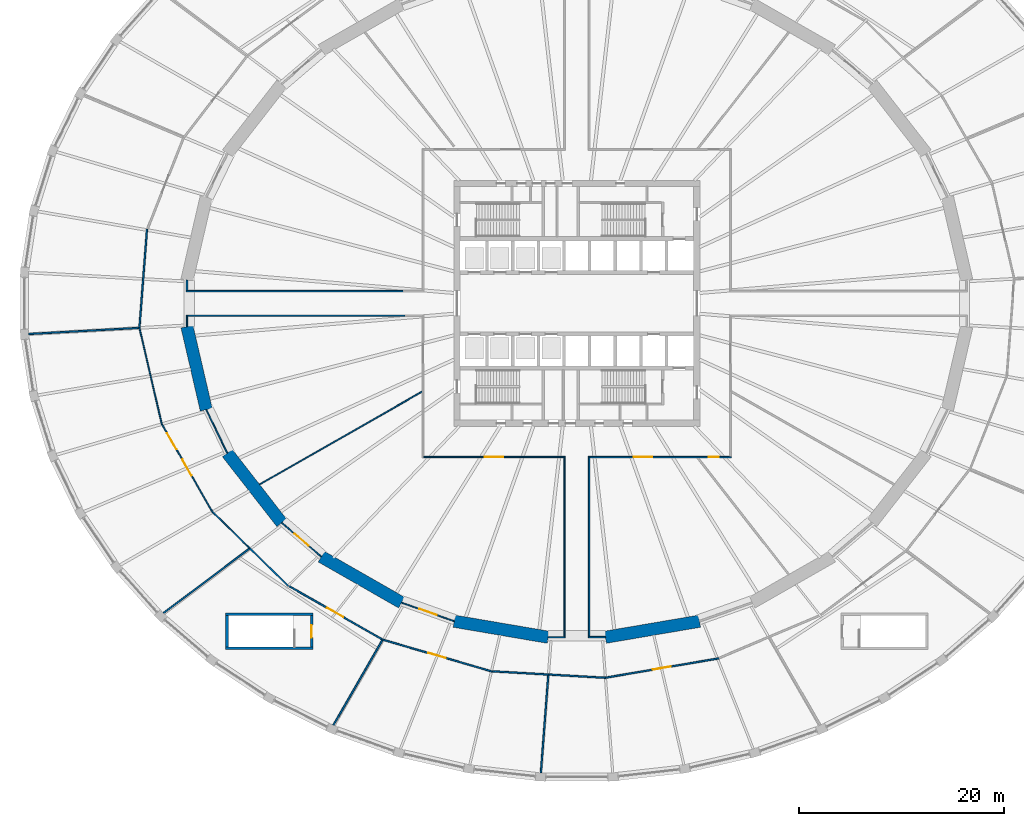
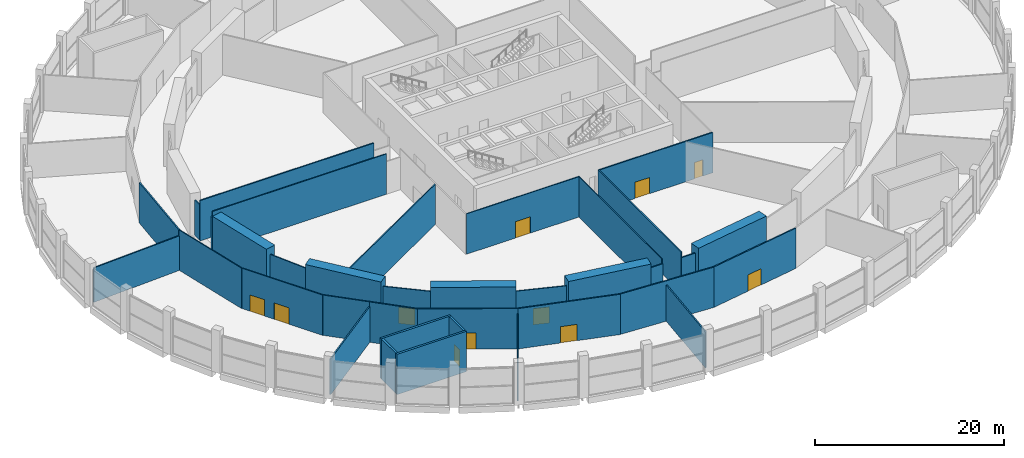
# One storey, part 19 of 26: 36 walls, 11 doors, 11 openings.
"""IFC4 building model written with IfcOpenShell, lengths in metres."""

from ifc_helpers import new_model, si_unit, direction, frame, frame_2d, origin, place, context, subcontext, project, spatial, polyline, rectangle, outline, extrude, material, layer, layer_set, type_object, element, fill, save


model = new_model("IFC4")

# Units and contexts
model_context = context("Model", 3, precision=1e-05, world=origin(), true_north=direction((0.0, 1.0)))
body_context = subcontext(model_context, "Body", "Model", "MODEL_VIEW")
ifc_project = project(units=[si_unit("LENGTHUNIT", "METRE"), si_unit("AREAUNIT", "SQUARE_METRE"), si_unit("VOLUMEUNIT", "CUBIC_METRE"), si_unit("PLANEANGLEUNIT", "RADIAN"), si_unit("MASSUNIT", "GRAM", prefix="KILO")], contexts=[model_context])

# Site, building, storey
site_placement = place(None, origin())
site = spatial("IfcSite", under=ifc_project, at=site_placement, CompositionType="ELEMENT")
building_placement = place(site_placement, origin())
building = spatial("IfcBuilding", under=site, at=building_placement, Name="Halqa Exchange Tower", CompositionType="ELEMENT")
storey_placement = place(building_placement, frame((0.0, 0.0, 18.0)))
storey = spatial("IfcBuildingStorey", under=building, at=storey_placement, Name="L03", CompositionType="ELEMENT", Elevation=18.0)

# Walls
ifc_material_1 = material(Name="Fire-rated gypsum board")
ifc_layer_1 = layer(ifc_material_1, 0.14990234375)
ifc_layer_set_1 = layer_set([ifc_layer_1], Name="Fire-rated gypsum board")
wall_type_1 = type_object("IfcWallType", Name="Fire partition EI 60 150", PredefinedType="PARTITIONING", material=ifc_layer_set_1)
wall_1_placement = place(storey_placement, frame((-42.696533203125, -2.3916015625, 0.0), z_axis=(0.0, 0.0, 1.0), x_axis=(-0.998455831687, -0.055551347153, 0.0)))
element("IfcWall", 1, at=wall_1_placement, inside=storey, type_object=wall_type_1, Name="L03-PWL-001", PredefinedType="PARTITIONING", context=body_context, shape_type="SweptSolid", body=[
    extrude(outline(polyline([(0.0, -0.074951171875), (10.808349609375, -0.074951171875), (10.805419921875, 0.074951171875), (0.0, 0.074951171875), (0.0, -0.074951171875)])), origin(), (0.0, 0.0, 1.0), 4.447021484375),
])
wall_2_placement = place(storey_placement, frame((-42.67041015625, -2.39404296875, 0.0), z_axis=(0.0, 0.0, 1.0), x_axis=(0.076458757176, 0.997072744814, 0.0)))
element("IfcWall", 2, at=wall_2_placement, inside=storey, type_object=wall_type_1, Name="L03-PWL-002", PredefinedType="PARTITIONING", context=body_context, shape_type="SweptSolid", body=[
    extrude(rectangle(XDim=9.6591796875, YDim=0.14990234375, at=frame_2d((4.82958984375, 0.0))), origin(), (0.0, 0.0, 1.0), 5.199951171875),
])
wall_3_placement = place(storey_placement, frame((-40.33740234375, -30.2255859375, 0.0), z_axis=(0.0, 0.0, 1.0), x_axis=(0.800114543622, 0.599847244792, 0.0)))
element("IfcWall", 3, at=wall_3_placement, inside=storey, type_object=wall_type_1, Name="L03-PWL-006", PredefinedType="PARTITIONING", context=body_context, shape_type="SweptSolid", body=[
    extrude(outline(polyline([(0.011474609375, -0.074951171875), (10.4853515625, -0.074951171875), (10.4853515625, 0.074951171875), (-0.011474609375, 0.074951171875), (0.011474609375, -0.074951171875)])), origin(), (0.0, 0.0, 1.0), 4.60009765625),
])
wall_4_placement = place(storey_placement, frame((-38.10498046875, 1.199951171875, 0.0), z_axis=(0.0, 0.0, 1.0), x_axis=(1.0, 0.0, 0.0)))
element("IfcWall", 4, at=wall_4_placement, inside=storey, type_object=wall_type_1, Name="L03-PWL-010", PredefinedType="PARTITIONING", context=body_context, shape_type="SweptSolid", body=[
    extrude(rectangle(XDim=21.18701171875, YDim=0.14990234375, at=frame_2d((10.593505859375, 0.0))), origin(), (0.0, 0.0, 1.0), 5.199951171875),
])
wall_5_placement = place(storey_placement, frame((-38.030029296875, 2.267578125, 0.0), z_axis=(0.0, 0.0, 1.0), x_axis=(0.0, -1.0, 0.0)))
element("IfcWall", 5, at=wall_5_placement, inside=storey, type_object=wall_type_1, Name="L03-PWL-011", PredefinedType="PARTITIONING", context=body_context, shape_type="SweptSolid", body=[
    extrude(outline(polyline([(-0.017333984375, -0.074951171875), (0.99267578125, -0.074951171875), (0.99267578125, 0.074951171875), (0.017333984375, 0.074951171875), (-0.017333984375, -0.074951171875)])), origin(), (0.0, 0.0, 1.0), 4.60009765625),
])
wall_6_placement = place(storey_placement, frame((-31.89990234375, -23.89990234375, 0.0), z_axis=(0.0, 0.0, 1.0), x_axis=(0.714809256367, -0.699319474212, 0.0)))
element("IfcWall", 6, at=wall_6_placement, inside=storey, type_object=wall_type_1, Name="L03-PWL-017", PredefinedType="PARTITIONING", context=body_context, shape_type="SweptSolid", body=[
    extrude(rectangle(XDim=5.24853515625, YDim=0.14990234375, at=frame_2d((2.624267578125, 0.0))), origin(), (0.0, 0.0, 1.0), 5.199951171875),
])

# Wall, opening, door
wall_7_placement = place(storey_placement, frame((-18.922119140625, -32.8203125, 0.0), z_axis=(0.0, 0.0, 1.0), x_axis=(-0.867956944139, 0.496639449823, 0.0)))
wall_7 = element("IfcWall", 7, at=wall_7_placement, inside=storey, type_object=wall_type_1, Name="L03-PWL-023", PredefinedType="PARTITIONING", context=body_context, shape_type="SweptSolid", body=[
    extrude(rectangle(XDim=10.609375, YDim=0.14990234375, at=frame_2d((5.3046875, 0.0))), origin(), (0.0, 0.0, 1.0), 5.199951171875),
])
opening_1_placement = place(wall_7_placement, frame((4.46630859375, 0.0, 0.0)))
opening_1 = element("IfcOpeningElement", 8, at=opening_1_placement, cuts=wall_7, Name="Opening L03-18", PredefinedType="OPENING", context=body_context, shape_type="SweptSolid", body=[
    extrude(rectangle(XDim=1.800048828125, YDim=2.10009765625, at=frame_2d((0.89990234375, 1.050048828125))), frame((0.0, 0.0869140625, 0.0), z_axis=(0.0, -1.0, 0.0), x_axis=(1.0, 0.0, 0.0)), (0.0, 0.0, 1.0), 0.173828125),
])
ifc_material_2 = material(Name="Steel fire door leaf", Category="steel")
door_type_1 = type_object("IfcDoorType", Name="Fire door FD30S double 1800 x 2100", OperationType="DOUBLE_DOOR_SINGLE_SWING", PredefinedType="DOOR", material=ifc_material_2)
door_1_placement = place(opening_1_placement, origin())
door_1 = element("IfcDoor", 9, at=door_1_placement, inside=storey, type_object=door_type_1, Name="L03-IDR-018", OperationType="DOUBLE_DOOR_SINGLE_SWING", OverallHeight=2.10009765625, OverallWidth=1.800048828125, PredefinedType="DOOR", context=body_context, shape_type="SweptSolid", body=[
    extrude(rectangle(XDim=1.800048828125, YDim=2.10009765625, at=frame_2d((0.89990234375, 1.050048828125))), frame((0.0, 0.02490234375, 0.0), z_axis=(0.0, -1.0, 0.0), x_axis=(1.0, 0.0, 0.0)), (0.0, 0.0, 1.0), 0.050048828125),
])
fill(opening_1, door_1)

# Wall
wall_8_placement = place(storey_placement, frame((-18.977294921875, -32.875, 0.0), z_axis=(0.0, 0.0, 1.0), x_axis=(-0.499235523932, -0.866466324588, 0.0)))
element("IfcWall", 10, at=wall_8_placement, inside=storey, type_object=wall_type_1, Name="L03-PWL-024", PredefinedType="PARTITIONING", context=body_context, shape_type="SweptSolid", body=[
    extrude(outline(polyline([(0.0, -0.074951171875), (9.56005859375, -0.074951171875), (9.54150390625, 0.074951171875), (0.0, 0.074951171875), (0.0, -0.074951171875)])), origin(), (0.0, 0.0, 1.0), 4.60009765625),
])

# Wall, opening, door
wall_9_placement = place(storey_placement, frame((-8.25634765625, -35.917236328125, 0.0), z_axis=(0.0, 0.0, 1.0), x_axis=(-0.960212446938, 0.279270579805, 0.0)))
wall_9 = element("IfcWall", 11, at=wall_9_placement, inside=storey, type_object=wall_type_1, Name="L03-PWL-035", PredefinedType="PARTITIONING", context=body_context, shape_type="SweptSolid", body=[
    extrude(rectangle(XDim=11.10595703125, YDim=0.14990234375, at=frame_2d((5.552978515625, 0.0))), origin(), (0.0, 0.0, 1.0), 5.199951171875),
])
opening_2_placement = place(wall_9_placement, frame((4.7119140625, 0.0, 0.0)))
opening_2 = element("IfcOpeningElement", 12, at=opening_2_placement, cuts=wall_9, Name="Opening L03-28", PredefinedType="OPENING", context=body_context, shape_type="SweptSolid", body=[
    extrude(rectangle(XDim=1.800048828125, YDim=2.10009765625, at=frame_2d((0.89990234375, 1.050048828125))), frame((0.0, 0.0869140625, 0.0), z_axis=(0.0, -1.0, 0.0), x_axis=(1.0, 0.0, 0.0)), (0.0, 0.0, 1.0), 0.173828125),
])
door_2_placement = place(opening_2_placement, origin())
door_2 = element("IfcDoor", 13, at=door_2_placement, inside=storey, type_object=door_type_1, Name="L03-IDR-028", OperationType="DOUBLE_DOOR_SINGLE_SWING", OverallHeight=2.10009765625, OverallWidth=1.800048828125, PredefinedType="DOOR", context=body_context, shape_type="SweptSolid", body=[
    extrude(rectangle(XDim=1.800048828125, YDim=2.10009765625, at=frame_2d((0.89990234375, 1.050048828125))), frame((0.0, 0.02490234375, 0.0), z_axis=(0.0, -1.0, 0.0), x_axis=(1.0, 0.0, 0.0)), (0.0, 0.0, 1.0), 0.050048828125),
])
fill(opening_2, door_2)

# Walls
wall_10_placement = place(storey_placement, frame((-8.250732421875, -35.895751953125, 0.0), z_axis=(0.0, 0.0, 1.0), x_axis=(0.998353419448, -0.057362443082, 0.0)))
element("IfcWall", 14, at=wall_10_placement, inside=storey, type_object=wall_type_1, Name="L03-PWL-036", PredefinedType="PARTITIONING", context=body_context, shape_type="SweptSolid", body=[
    extrude(rectangle(XDim=11.074462890625, YDim=0.14990234375, at=frame_2d((5.537109375, 0.0))), origin(), (0.0, 0.0, 1.0), 5.199951171875),
])
wall_11_placement = place(storey_placement, frame((-2.78564453125, -36.2841796875, 0.0), z_axis=(0.0, 0.0, 1.0), x_axis=(-0.075755724104, -0.997126406363, 0.0)))
element("IfcWall", 15, at=wall_11_placement, inside=storey, type_object=wall_type_1, Name="L03-PWL-040", PredefinedType="PARTITIONING", context=body_context, shape_type="SweptSolid", body=[
    extrude(rectangle(XDim=9.545654296875, YDim=0.14990234375, at=frame_2d((4.77294921875, 0.0))), origin(), (0.0, 0.0, 1.0), 4.64990234375),
])
wall_12_placement = place(storey_placement, frame((1.125, -32.570068359375, 0.0), z_axis=(0.0, 0.0, 1.0), x_axis=(1.0, 0.0, 0.0)))
element("IfcWall", 16, at=wall_12_placement, inside=storey, type_object=wall_type_1, Name="L03-PWL-045", PredefinedType="PARTITIONING", context=body_context, shape_type="SweptSolid", body=[
    extrude(outline(polyline([(0.0, -0.074951171875), (1.67578125, -0.074951171875), (1.650390625, 0.074951171875), (0.0, 0.074951171875), (0.0, -0.074951171875)])), origin(), (0.0, 0.0, 1.0), 4.60009765625),
])
wall_13_placement = place(storey_placement, frame((1.199951171875, -14.925048828125, 0.0), z_axis=(0.0, 0.0, 1.0), x_axis=(0.0, -1.0, 0.0)))
element("IfcWall", 17, at=wall_13_placement, inside=storey, type_object=wall_type_1, Name="L03-PWL-046", PredefinedType="PARTITIONING", context=body_context, shape_type="SweptSolid", body=[
    extrude(rectangle(XDim=17.570068359375, YDim=0.14990234375, at=frame_2d((8.78515625, 0.0))), origin(), (0.0, 0.0, 1.0), 5.199951171875),
])

# Wall, openings, doors
wall_14_placement = place(storey_placement, frame((1.27490234375, -15.0, 0.0), z_axis=(0.0, 0.0, 1.0), x_axis=(1.0, 0.0, 0.0)))
wall_14 = element("IfcWall", 18, at=wall_14_placement, inside=storey, type_object=wall_type_1, Name="L03-PWL-047", PredefinedType="PARTITIONING", context=body_context, shape_type="SweptSolid", body=[
    extrude(rectangle(XDim=13.800048828125, YDim=0.14990234375, at=frame_2d((6.89990234375, 0.0))), origin(), (0.0, 0.0, 1.0), 5.199951171875),
])
opening_3_placement = place(wall_14_placement, frame((4.2939453125, 0.0, 0.0)))
opening_3 = element("IfcOpeningElement", 19, at=opening_3_placement, cuts=wall_14, Name="Opening L03-13", PredefinedType="OPENING", context=body_context, shape_type="SweptSolid", body=[
    extrude(rectangle(XDim=1.800048828125, YDim=2.10009765625, at=frame_2d((0.89990234375, 1.050048828125))), frame((0.0, 0.0869140625, 0.0), z_axis=(0.0, -1.0, 0.0), x_axis=(1.0, 0.0, 0.0)), (0.0, 0.0, 1.0), 0.173828125),
])
opening_4_placement = place(wall_14_placement, frame((11.574951171875, 0.0, 0.0)))
opening_4 = element("IfcOpeningElement", 20, at=opening_4_placement, cuts=wall_14, Name="Opening L03-14", PredefinedType="OPENING", context=body_context, shape_type="SweptSolid", body=[
    extrude(rectangle(XDim=1.0, YDim=2.10009765625, at=frame_2d((0.5, 1.050048828125))), frame((0.0, 0.0869140625, 0.0), z_axis=(0.0, -1.0, 0.0), x_axis=(1.0, 0.0, 0.0)), (0.0, 0.0, 1.0), 0.173828125),
])
door_type_2 = type_object("IfcDoorType", Name="Fire door FD30S 1000 x 2100", OperationType="SINGLE_SWING_LEFT", PredefinedType="DOOR", material=ifc_material_2)
door_3_placement = place(opening_4_placement, frame((1.0, 0.0, 0.0), z_axis=(0.0, 0.0, 1.0), x_axis=(-1.0, 0.0, 0.0)))
door_3 = element("IfcDoor", 21, at=door_3_placement, inside=storey, type_object=door_type_2, Name="L03-IDR-014", OperationType="SINGLE_SWING_LEFT", OverallHeight=2.10009765625, OverallWidth=1.0, PredefinedType="DOOR", context=body_context, shape_type="SweptSolid", body=[
    extrude(rectangle(XDim=1.0, YDim=2.10009765625, at=frame_2d((0.5, 1.050048828125))), frame((0.0, 0.02490234375, 0.0), z_axis=(0.0, -1.0, 0.0), x_axis=(1.0, 0.0, 0.0)), (0.0, 0.0, 1.0), 0.050048828125),
])
fill(opening_4, door_3)
door_4_placement = place(opening_3_placement, frame((1.800048828125, 0.0, 0.0), z_axis=(0.0, 0.0, 1.0), x_axis=(-1.0, 0.0, 0.0)))
door_4 = element("IfcDoor", 22, at=door_4_placement, inside=storey, type_object=door_type_1, Name="L03-IDR-013", OperationType="DOUBLE_DOOR_SINGLE_SWING", OverallHeight=2.10009765625, OverallWidth=1.800048828125, PredefinedType="DOOR", context=body_context, shape_type="SweptSolid", body=[
    extrude(rectangle(XDim=1.800048828125, YDim=2.10009765625, at=frame_2d((0.89990234375, 1.050048828125))), frame((0.0, 0.02490234375, 0.0), z_axis=(0.0, -1.0, 0.0), x_axis=(1.0, 0.0, 0.0)), (0.0, 0.0, 1.0), 0.050048828125),
])
fill(opening_3, door_4)

# Wall, opening, door
wall_15_placement = place(storey_placement, frame((13.857177734375, -34.63330078125, 0.0), z_axis=(0.0, 0.0, 1.0), x_axis=(-0.985753337794, -0.168197375212, 0.0)))
wall_15 = element("IfcWall", 23, at=wall_15_placement, inside=storey, type_object=wall_type_1, Name="L03-PWL-055", PredefinedType="PARTITIONING", context=body_context, shape_type="SweptSolid", body=[
    extrude(rectangle(XDim=11.21142578125, YDim=0.14990234375, at=frame_2d((5.605712890625, 0.0))), origin(), (0.0, 0.0, 1.0), 5.199951171875),
])
opening_5_placement = place(wall_15_placement, frame((4.7578125, 0.0, 0.0)))
opening_5 = element("IfcOpeningElement", 24, at=opening_5_placement, cuts=wall_15, Name="Opening L03-29", PredefinedType="OPENING", context=body_context, shape_type="SweptSolid", body=[
    extrude(rectangle(XDim=1.800048828125, YDim=2.10009765625, at=frame_2d((0.89990234375, 1.050048828125))), frame((0.0, 0.0869140625, 0.0), z_axis=(0.0, -1.0, 0.0), x_axis=(1.0, 0.0, 0.0)), (0.0, 0.0, 1.0), 0.173828125),
])
door_5_placement = place(opening_5_placement, origin())
door_5 = element("IfcDoor", 25, at=door_5_placement, inside=storey, type_object=door_type_1, Name="L03-IDR-029", OperationType="DOUBLE_DOOR_SINGLE_SWING", OverallHeight=2.10009765625, OverallWidth=1.800048828125, PredefinedType="DOOR", context=body_context, shape_type="SweptSolid", body=[
    extrude(rectangle(XDim=1.800048828125, YDim=2.10009765625, at=frame_2d((0.89990234375, 1.050048828125))), frame((0.0, 0.02490234375, 0.0), z_axis=(0.0, -1.0, 0.0), x_axis=(1.0, 0.0, 0.0)), (0.0, 0.0, 1.0), 0.050048828125),
])
fill(opening_5, door_5)

# Walls
ifc_material_3 = material(Name="Fire-rated glazing", Category="glass")
ifc_layer_2 = layer(ifc_material_3, 0.1201171875)
ifc_layer_set_2 = layer_set([ifc_layer_2], Name="Fire-rated glazing")
wall_type_2 = type_object("IfcWallType", Name="Glazed fire partition EI 60 120", PredefinedType="PARTITIONING", material=ifc_layer_set_2)
wall_16_placement = place(storey_placement, frame((-40.481201171875, -11.8212890625, 0.0), z_axis=(0.0, 0.0, 1.0), x_axis=(-0.226066022298, 0.974111982044, 0.0)))
element("IfcWall", 26, at=wall_16_placement, inside=storey, type_object=wall_type_2, Name="L03-PWL-004", PredefinedType="PARTITIONING", context=body_context, shape_type="SweptSolid", body=[
    extrude(rectangle(XDim=9.678466796875, YDim=0.1201171875, at=frame_2d((4.83935546875, 0.0))), origin(), (0.0, 0.0, 1.0), 5.199951171875),
])
wall_17_placement = place(storey_placement, frame((-38.030029296875, -1.139892578125, 0.0), z_axis=(0.0, 0.0, 1.0), x_axis=(0.0, -1.0, 0.0)))
element("IfcWall", 27, at=wall_17_placement, inside=storey, type_object=wall_type_2, Name="L03-PWL-009", PredefinedType="PARTITIONING", context=body_context, shape_type="SweptSolid", body=[
    extrude(outline(polyline([(0.0, -0.06005859375), (1.1416015625, -0.06005859375), (1.11376953125, 0.06005859375), (0.0, 0.06005859375), (0.0, -0.06005859375)])), origin(), (0.0, 0.0, 1.0), 4.60009765625),
])
wall_18_placement = place(storey_placement, frame((-36.14990234375, -10.3798828125, 0.0), z_axis=(0.0, 0.0, 1.0), x_axis=(0.436102687495, -0.899896908518, 0.0)))
element("IfcWall", 28, at=wall_18_placement, inside=storey, type_object=wall_type_2, Name="L03-PWL-012", PredefinedType="PARTITIONING", context=body_context, shape_type="SweptSolid", body=[
    extrude(outline(polyline([(-0.013671875, -0.06005859375), (4.712158203125, -0.06005859375), (4.686279296875, 0.06005859375), (0.013671875, 0.06005859375), (-0.013671875, -0.06005859375)])), origin(), (0.0, 0.0, 1.0), 4.60009765625),
])

# Wall, openings, doors
wall_19_placement = place(storey_placement, frame((-35.529052734375, -20.381103515625, 0.0), z_axis=(0.0, 0.0, 1.0), x_axis=(-0.498637746392, 0.866810474021, 0.0)))
wall_19 = element("IfcWall", 29, at=wall_19_placement, inside=storey, type_object=wall_type_2, Name="L03-PWL-013", PredefinedType="PARTITIONING", context=body_context, shape_type="SweptSolid", body=[
    extrude(rectangle(XDim=9.88232421875, YDim=0.1201171875, at=frame_2d((4.941162109375, 0.0))), origin(), (0.0, 0.0, 1.0), 5.199951171875),
])
opening_6_placement = place(wall_19_placement, frame((4.12548828125, 0.0, 0.0)))
opening_6 = element("IfcOpeningElement", 30, at=opening_6_placement, cuts=wall_19, Name="Opening L03-26", PredefinedType="OPENING", context=body_context, shape_type="SweptSolid", body=[
    extrude(rectangle(XDim=1.800048828125, YDim=2.10009765625, at=frame_2d((0.89990234375, 1.050048828125))), frame((0.0, 0.072021484375, 0.0), z_axis=(0.0, -1.0, 0.0), x_axis=(1.0, 0.0, 0.0)), (0.0, 0.0, 1.0), 0.14404296875),
])
opening_7_placement = place(wall_19_placement, frame((7.091552734375, 0.0, 0.0)))
opening_7 = element("IfcOpeningElement", 31, at=opening_7_placement, cuts=wall_19, Name="Opening L03-27", PredefinedType="OPENING", context=body_context, shape_type="SweptSolid", body=[
    extrude(rectangle(XDim=1.800048828125, YDim=2.10009765625, at=frame_2d((0.89990234375, 1.050048828125))), frame((0.0, 0.072021484375, 0.0), z_axis=(0.0, -1.0, 0.0), x_axis=(1.0, 0.0, 0.0)), (0.0, 0.0, 1.0), 0.14404296875),
])
door_6_placement = place(opening_6_placement, origin())
door_6 = element("IfcDoor", 32, at=door_6_placement, inside=storey, type_object=door_type_1, Name="L03-IDR-026", OperationType="DOUBLE_DOOR_SINGLE_SWING", OverallHeight=2.10009765625, OverallWidth=1.800048828125, PredefinedType="DOOR", context=body_context, shape_type="SweptSolid", body=[
    extrude(rectangle(XDim=1.800048828125, YDim=2.10009765625, at=frame_2d((0.89990234375, 1.050048828125))), frame((0.0, 0.02490234375, 0.0), z_axis=(0.0, -1.0, 0.0), x_axis=(1.0, 0.0, 0.0)), (0.0, 0.0, 1.0), 0.050048828125),
])
fill(opening_6, door_6)
door_7_placement = place(opening_7_placement, origin())
door_7 = element("IfcDoor", 33, at=door_7_placement, inside=storey, type_object=door_type_1, Name="L03-IDR-027", OperationType="DOUBLE_DOOR_SINGLE_SWING", OverallHeight=2.10009765625, OverallWidth=1.800048828125, PredefinedType="DOOR", context=body_context, shape_type="SweptSolid", body=[
    extrude(rectangle(XDim=1.800048828125, YDim=2.10009765625, at=frame_2d((0.89990234375, 1.050048828125))), frame((0.0, 0.02490234375, 0.0), z_axis=(0.0, -1.0, 0.0), x_axis=(1.0, 0.0, 0.0)), (0.0, 0.0, 1.0), 0.050048828125),
])
fill(opening_7, door_7)

# Wall
wall_20_placement = place(storey_placement, frame((-35.509521484375, -20.369140625, 0.0), z_axis=(0.0, 0.0, 1.0), x_axis=(0.714847158957, -0.699280729987, 0.0)))
element("IfcWall", 34, at=wall_20_placement, inside=storey, type_object=wall_type_2, Name="L03-PWL-014", PredefinedType="PARTITIONING", context=body_context, shape_type="SweptSolid", body=[
    extrude(rectangle(XDim=5.05029296875, YDim=0.1201171875, at=frame_2d((2.525146484375, 0.0))), origin(), (0.0, 0.0, 1.0), 5.199951171875),
])

# Wall, opening, door
wall_21_placement = place(storey_placement, frame((-28.789306640625, -21.41064453125, 0.0), z_axis=(0.0, 0.0, 1.0), x_axis=(0.760084552743, -0.649824185978, 0.0)))
wall_21 = element("IfcWall", 35, at=wall_21_placement, inside=storey, type_object=wall_type_2, Name="L03-PWL-018", PredefinedType="PARTITIONING", context=body_context, shape_type="SweptSolid", body=[
    extrude(outline(polyline([(-0.01220703125, -0.06005859375), (5.08642578125, -0.06005859375), (5.0634765625, 0.06005859375), (0.01220703125, 0.06005859375), (-0.01220703125, -0.06005859375)])), origin(), (0.0, 0.0, 1.0), 4.60009765625),
])
opening_8_placement = place(wall_21_placement, frame((1.63818359375, 0.0, 0.0)))
opening_8 = element("IfcOpeningElement", 36, at=opening_8_placement, cuts=wall_21, Name="Opening L03-11", PredefinedType="OPENING", context=body_context, shape_type="SweptSolid", body=[
    extrude(rectangle(XDim=1.800048828125, YDim=2.10009765625, at=frame_2d((0.89990234375, 1.050048828125))), frame((0.0, 0.072021484375, 0.0), z_axis=(0.0, -1.0, 0.0), x_axis=(1.0, 0.0, 0.0)), (0.0, 0.0, 1.0), 0.14404296875),
])
door_8_placement = place(opening_8_placement, origin())
door_8 = element("IfcDoor", 37, at=door_8_placement, inside=storey, type_object=door_type_1, Name="L03-IDR-011", OperationType="DOUBLE_DOOR_SINGLE_SWING", OverallHeight=2.10009765625, OverallWidth=1.800048828125, PredefinedType="DOOR", context=body_context, shape_type="SweptSolid", body=[
    extrude(rectangle(XDim=1.800048828125, YDim=2.10009765625, at=frame_2d((0.89990234375, 1.050048828125))), frame((0.0, 0.02490234375, 0.0), z_axis=(0.0, -1.0, 0.0), x_axis=(1.0, 0.0, 0.0)), (0.0, 0.0, 1.0), 0.050048828125),
])
fill(opening_8, door_8)

wall_22_placement = place(storey_placement, frame((-17.0908203125, -29.19970703125, 0.0), z_axis=(0.0, 0.0, 1.0), x_axis=(0.942814385805, -0.333318217204, 0.0)))
wall_22 = element("IfcWall", 38, at=wall_22_placement, inside=storey, type_object=wall_type_2, Name="L03-PWL-026", PredefinedType="PARTITIONING", context=body_context, shape_type="SweptSolid", body=[
    extrude(outline(polyline([(-0.010986328125, -0.06005859375), (5.445068359375, -0.06005859375), (5.424560546875, 0.06005859375), (0.010986328125, 0.06005859375), (-0.010986328125, -0.06005859375)])), origin(), (0.0, 0.0, 1.0), 4.60009765625),
])
opening_9_placement = place(wall_22_placement, frame((1.81640625, 0.0, 0.0)))
opening_9 = element("IfcOpeningElement", 39, at=opening_9_placement, cuts=wall_22, Name="Opening L03-12", PredefinedType="OPENING", context=body_context, shape_type="SweptSolid", body=[
    extrude(rectangle(XDim=1.800048828125, YDim=2.10009765625, at=frame_2d((0.89990234375, 1.050048828125))), frame((0.0, 0.072021484375, 0.0), z_axis=(0.0, -1.0, 0.0), x_axis=(1.0, 0.0, 0.0)), (0.0, 0.0, 1.0), 0.14404296875),
])
door_9_placement = place(opening_9_placement, origin())
door_9 = element("IfcDoor", 40, at=door_9_placement, inside=storey, type_object=door_type_1, Name="L03-IDR-012", OperationType="DOUBLE_DOOR_SINGLE_SWING", OverallHeight=2.10009765625, OverallWidth=1.800048828125, PredefinedType="DOOR", context=body_context, shape_type="SweptSolid", body=[
    extrude(rectangle(XDim=1.800048828125, YDim=2.10009765625, at=frame_2d((0.89990234375, 1.050048828125))), frame((0.0, 0.02490234375, 0.0), z_axis=(0.0, -1.0, 0.0), x_axis=(1.0, 0.0, 0.0)), (0.0, 0.0, 1.0), 0.050048828125),
])
fill(opening_9, door_9)

# Walls
wall_23_placement = place(storey_placement, frame((-15.0595703125, -8.593994140625, 0.0), z_axis=(0.0, 0.0, 1.0), x_axis=(-0.868344936016, -0.495960756608, 0.0)))
element("IfcWall", 41, at=wall_23_placement, inside=storey, type_object=wall_type_2, Name="L03-PWL-028", PredefinedType="PARTITIONING", context=body_context, shape_type="SweptSolid", body=[
    extrude(outline(polyline([(-0.034423828125, -0.06005859375), (18.306640625, -0.06005859375), (18.28955078125, 0.06005859375), (0.034423828125, 0.06005859375), (-0.034423828125, -0.06005859375)])), origin(), (0.0, 0.0, 1.0), 5.199951171875),
])
wall_24_placement = place(storey_placement, frame((-2.7880859375, -32.570068359375, 0.0), z_axis=(0.0, 0.0, 1.0), x_axis=(1.0, 0.0, 0.0)))
element("IfcWall", 42, at=wall_24_placement, inside=storey, type_object=wall_type_2, Name="L03-PWL-039", PredefinedType="PARTITIONING", context=body_context, shape_type="SweptSolid", body=[
    extrude(outline(polyline([(-0.01025390625, -0.06005859375), (1.648193359375, -0.06005859375), (1.648193359375, 0.06005859375), (0.01025390625, 0.06005859375), (-0.01025390625, -0.06005859375)])), origin(), (0.0, 0.0, 1.0), 4.60009765625),
])
wall_25_placement = place(storey_placement, frame((-1.199951171875, -32.510009765625, 0.0), z_axis=(0.0, 0.0, 1.0), x_axis=(0.0, 1.0, 0.0)))
element("IfcWall", 43, at=wall_25_placement, inside=storey, type_object=wall_type_2, Name="L03-PWL-041", PredefinedType="PARTITIONING", context=body_context, shape_type="SweptSolid", body=[
    extrude(rectangle(XDim=17.570068359375, YDim=0.1201171875, at=frame_2d((8.78515625, 0.0))), origin(), (0.0, 0.0, 1.0), 5.199951171875),
])

# Wall, opening, door
wall_26_placement = place(storey_placement, frame((-1.260009765625, -15.0, 0.0), z_axis=(0.0, 0.0, 1.0), x_axis=(-1.0, 0.0, 0.0)))
wall_26 = element("IfcWall", 44, at=wall_26_placement, inside=storey, type_object=wall_type_2, Name="L03-PWL-042", PredefinedType="PARTITIONING", context=body_context, shape_type="SweptSolid", body=[
    extrude(rectangle(XDim=13.679931640625, YDim=0.1201171875, at=frame_2d((6.83984375, 0.0))), origin(), (0.0, 0.0, 1.0), 5.199951171875),
])
opening_10_placement = place(wall_26_placement, frame((5.925048828125, 0.0, 0.0)))
opening_10 = element("IfcOpeningElement", 45, at=opening_10_placement, cuts=wall_26, Name="Opening L03-10", PredefinedType="OPENING", context=body_context, shape_type="SweptSolid", body=[
    extrude(rectangle(XDim=1.800048828125, YDim=2.10009765625, at=frame_2d((0.89990234375, 1.050048828125))), frame((0.0, 0.072021484375, 0.0), z_axis=(0.0, -1.0, 0.0), x_axis=(1.0, 0.0, 0.0)), (0.0, 0.0, 1.0), 0.14404296875),
])
door_10_placement = place(opening_10_placement, origin())
door_10 = element("IfcDoor", 46, at=door_10_placement, inside=storey, type_object=door_type_1, Name="L03-IDR-010", OperationType="DOUBLE_DOOR_SINGLE_SWING", OverallHeight=2.10009765625, OverallWidth=1.800048828125, PredefinedType="DOOR", context=body_context, shape_type="SweptSolid", body=[
    extrude(rectangle(XDim=1.800048828125, YDim=2.10009765625, at=frame_2d((0.89990234375, 1.050048828125))), frame((0.0, 0.02490234375, 0.0), z_axis=(0.0, -1.0, 0.0), x_axis=(1.0, 0.0, 0.0)), (0.0, 0.0, 1.0), 0.050048828125),
])
fill(opening_10, door_10)

# Walls
wall_27_placement = place(storey_placement, frame((-16.740234375, -1.199951171875, 0.0), z_axis=(0.0, 0.0, 1.0), x_axis=(-1.0, 0.0, 0.0)))
element("IfcWall", 47, at=wall_27_placement, inside=storey, type_object=wall_type_2, Name="L03-PWL-086", PredefinedType="PARTITIONING", context=body_context, shape_type="SweptSolid", body=[
    extrude(rectangle(XDim=21.229736328125, YDim=0.1201171875, at=frame_2d((10.61474609375, 0.0))), origin(), (0.0, 0.0, 1.0), 5.199951171875),
])
ifc_material_4 = material(Name="Concrete C80/95", Category="concrete")
ifc_layer_3 = layer(ifc_material_4, 1.199951171875)
ifc_layer_set_3 = layer_set([ifc_layer_3], Name="Concrete C80/95")
wall_type_3 = type_object("IfcWallType", Name="RC ring pier 1200 C80/95", PredefinedType="SHEAR", material=ifc_layer_set_3)
wall_28_placement = place(storey_placement, frame((-38.03173828125, -2.26708984375, 0.0), z_axis=(0.0, 0.0, 1.0), x_axis=(0.226058185805, -0.974113800657, 0.0)))
element("IfcWall", 48, at=wall_28_placement, inside=storey, type_object=wall_type_3, Name="Ring pier 9", PredefinedType="SHEAR", context=body_context, shape_type="SweptSolid", body=[
    extrude(rectangle(XDim=8.328857421875, YDim=1.199951171875, at=frame_2d((4.16455078125, 0.0))), origin(), (0.0, 0.0, 1.0), 5.5),
])
wall_29_placement = place(storey_placement, frame((-34.09716796875, -14.60498046875, 0.0), z_axis=(0.0, 0.0, 1.0), x_axis=(0.614825322247, -0.788663314174, 0.0)))
element("IfcWall", 49, at=wall_29_placement, inside=storey, type_object=wall_type_3, Name="Ring pier 10", PredefinedType="SHEAR", context=body_context, shape_type="SweptSolid", body=[
    extrude(rectangle(XDim=8.631591796875, YDim=1.199951171875, at=frame_2d((4.31591796875, 0.0))), origin(), (0.0, 0.0, 1.0), 5.5),
])
wall_30_placement = place(storey_placement, frame((-24.931396484375, -24.705810546875, 0.0), z_axis=(0.0, 0.0, 1.0), x_axis=(0.867760656864, -0.496982336103, 0.0)))
element("IfcWall", 50, at=wall_30_placement, inside=storey, type_object=wall_type_3, Name="Ring pier 11", PredefinedType="SHEAR", context=body_context, shape_type="SweptSolid", body=[
    extrude(rectangle(XDim=9.037841796875, YDim=1.199951171875, at=frame_2d((4.51904296875, 0.0))), origin(), (0.0, 0.0, 1.0), 5.5),
])
for number, where, z_axis, x_axis, name in (
    (51, (-11.96728515625, -31.00927734375, 0.0), (0.0, 0.0, 1.0), (0.985776286846, -0.168062822456, 0.0), "Ring pier 12"),
    (52, (2.7880859375, -32.57421875, 0.0), (0.0, 0.0, 1.0), (0.985776286846, 0.168062822456, 0.0), "Ring pier 13"),
):
    element("IfcWall", number, at=place(storey_placement, frame(where, z_axis=z_axis, x_axis=x_axis)), inside=storey, type_object=wall_type_3, Name=name, PredefinedType="SHEAR", context=body_context, shape_type="SweptSolid", body=[
        extrude(rectangle(XDim=9.3115234375, YDim=1.199951171875, at=frame_2d((4.65576171875, 0.0))), origin(), (0.0, 0.0, 1.0), 5.5),
    ])
ifc_material_5 = material(Name="Concrete C30/37", Category="concrete")
ifc_layer_4 = layer(ifc_material_5, 0.25)
ifc_layer_set_4 = layer_set([ifc_layer_4], Name="Concrete C30/37")
wall_type_4 = type_object("IfcWallType", Name="RC stair wall 250 C30/37", PredefinedType="SHEAR", material=ifc_layer_set_4)
for number, where, z_axis, x_axis, name in (
    (53, (-34.25, -30.35009765625, 0.0), (0.0, 0.0, 1.0), (1.0, 0.0, 0.0), "Stair PS4 wall north"),
    (54, (-34.25, -33.64990234375, 0.0), (0.0, 0.0, 1.0), (1.0, 0.0, 0.0), "Stair PS4 wall south"),
):
    element("IfcWall", number, at=place(storey_placement, frame(where, z_axis=z_axis, x_axis=x_axis)), inside=storey, type_object=wall_type_4, Name=name, PredefinedType="SHEAR", context=body_context, shape_type="SweptSolid", body=[
        extrude(rectangle(XDim=8.5, YDim=0.25, at=frame_2d((4.25, 0.0))), origin(), (0.0, 0.0, 1.0), 5.199951171875),
    ])
wall_31_placement = place(storey_placement, frame((-34.125, -33.52490234375, 0.0), z_axis=(0.0, 0.0, 1.0), x_axis=(0.0, 1.0, 0.0)))
element("IfcWall", 55, at=wall_31_placement, inside=storey, type_object=wall_type_4, Name="Stair PS4 wall west", PredefinedType="SHEAR", context=body_context, shape_type="SweptSolid", body=[
    extrude(rectangle(XDim=3.0498046875, YDim=0.25, at=frame_2d((1.52490234375, 0.0))), origin(), (0.0, 0.0, 1.0), 5.199951171875),
])

# Wall, opening, door
wall_32_placement = place(storey_placement, frame((-25.875, -33.52490234375, 0.0), z_axis=(0.0, 0.0, 1.0), x_axis=(0.0, 1.0, 0.0)))
wall_32 = element("IfcWall", 56, at=wall_32_placement, inside=storey, type_object=wall_type_4, Name="Stair PS4 wall east", PredefinedType="SHEAR", context=body_context, shape_type="SweptSolid", body=[
    extrude(rectangle(XDim=3.0498046875, YDim=0.25, at=frame_2d((1.52490234375, 0.0))), origin(), (0.0, 0.0, 1.0), 5.199951171875),
])
opening_11_placement = place(wall_32_placement, frame((0.925048828125, 0.0, 0.0)))
opening_11 = element("IfcOpeningElement", 57, at=opening_11_placement, cuts=wall_32, Name="Opening L03-C18", PredefinedType="OPENING", context=body_context, shape_type="SweptSolid", body=[
    extrude(rectangle(XDim=1.199951171875, YDim=2.10009765625, at=frame_2d((0.60009765625, 1.050048828125))), frame((0.0, 0.136962890625, 0.0), z_axis=(0.0, -1.0, 0.0), x_axis=(1.0, 0.0, 0.0)), (0.0, 0.0, 1.0), 0.27392578125),
])
door_type_3 = type_object("IfcDoorType", Name="Stair door FD90 1200 x 2100", OperationType="SINGLE_SWING_LEFT", PredefinedType="DOOR", material=ifc_material_2)
door_11_placement = place(opening_11_placement, origin())
door_11 = element("IfcDoor", 58, at=door_11_placement, inside=storey, type_object=door_type_3, Name="Stair door PS4", OperationType="SINGLE_SWING_RIGHT", OverallHeight=2.10009765625, OverallWidth=1.199951171875, PredefinedType="DOOR", context=body_context, shape_type="SweptSolid", body=[
    extrude(rectangle(XDim=1.199951171875, YDim=2.10009765625, at=frame_2d((0.60009765625, 1.050048828125))), frame((0.0, 0.02490234375, 0.0), z_axis=(0.0, -1.0, 0.0), x_axis=(1.0, 0.0, 0.0)), (0.0, 0.0, 1.0), 0.050048828125),
])
fill(opening_11, door_11)

save(model, "model.ifc")
